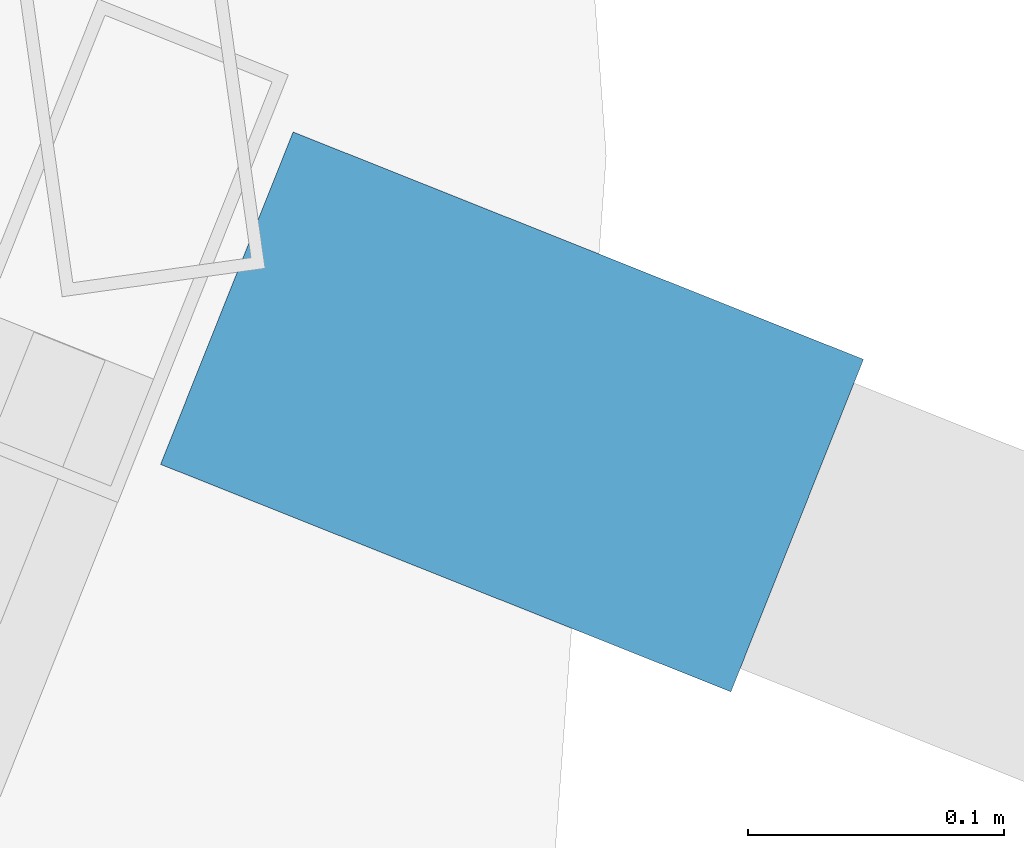
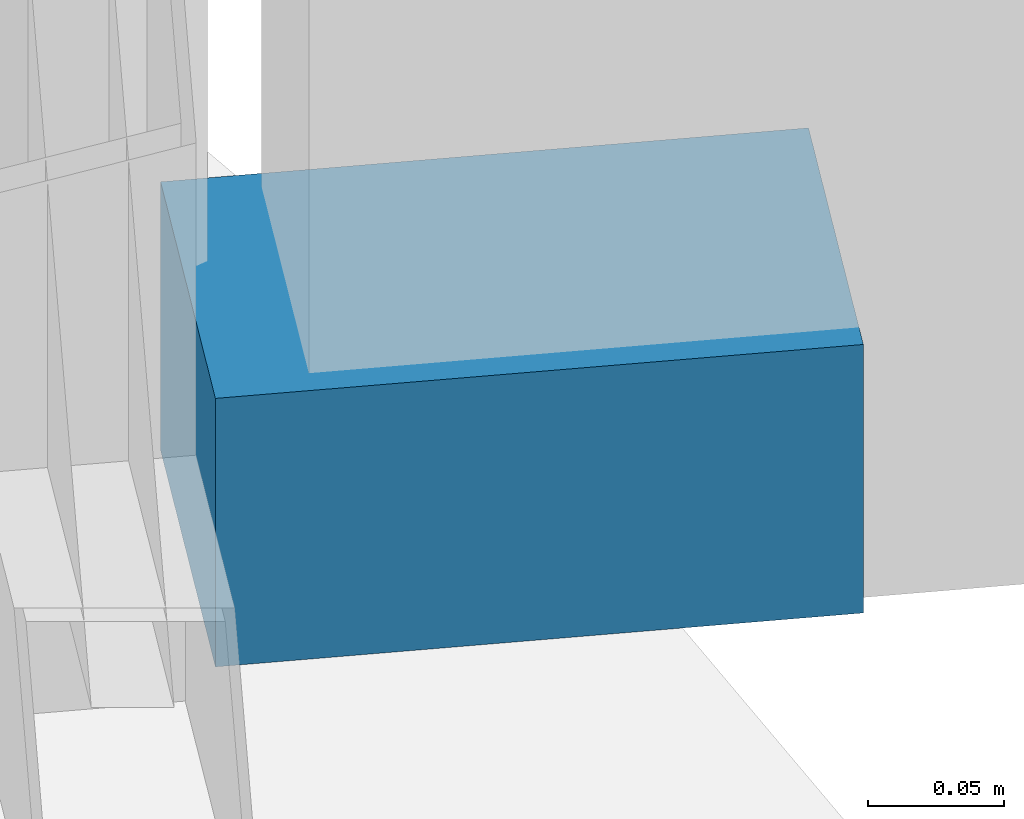
# One storey, part 28 of 31: 1 discrete accessory.
"""IFC4 building model written with IfcOpenShell, lengths in metres."""

from ifc_helpers import new_model, si_unit, direction, frame, origin, origin_2d, place, context, subcontext, project, spatial, rectangle, extrude, material, type_object, element, save


model = new_model("IFC4")

# Units and contexts
model_context = context("Model", 3, precision=1e-05, world=origin(), true_north=direction((0.0, 1.0)))
body_context = subcontext(model_context, "Body", "Model", "MODEL_VIEW")
ifc_project = project(units=[si_unit("LENGTHUNIT", "METRE"), si_unit("AREAUNIT", "SQUARE_METRE"), si_unit("VOLUMEUNIT", "CUBIC_METRE"), si_unit("PLANEANGLEUNIT", "RADIAN"), si_unit("MASSUNIT", "GRAM", prefix="KILO")], contexts=[model_context])

# Site, building, storey
site_placement = place(None, origin())
site = spatial("IfcSite", under=ifc_project, at=site_placement, CompositionType="ELEMENT")
building_placement = place(site_placement, origin())
building = spatial("IfcBuilding", under=site, at=building_placement, Name="Kazevale Care Tower and Concert Hall", CompositionType="ELEMENT")
storey_placement = place(building_placement, frame((0.0, 0.0, 56.39990234375)))
storey = spatial("IfcBuildingStorey", under=building, at=storey_placement, Name="L14", CompositionType="ELEMENT", Elevation=56.39990234375)

# Discrete accessory
ifc_material = material(Name="Stainless Steel 316", Category="steel")
discrete_accessory_type = type_object("IfcDiscreteAccessoryType", Name="Facade Fin Stainless Anchor Bracket BRK-1", PredefinedType="BRACKET", material=ifc_material)
discrete_accessory_placement = place(storey_placement, frame((80.76318359375, 37.89990234375, 0.0), z_axis=(0.0, 0.0, 1.0), x_axis=(0.928874213199, -0.370395324019, 0.0)))
element("IfcDiscreteAccessory", 1, at=discrete_accessory_placement, inside=storey, type_object=discrete_accessory_type, Name="cw:L14:f01:brk", PredefinedType="BRACKET", context=body_context, shape_type="SweptSolid", body=[
    extrude(rectangle(XDim=0.239990234375, YDim=0.139892578125, at=origin_2d()), origin(), (0.0, 0.0, 1.0), 0.1201171875),
])

save(model, "model.ifc")
